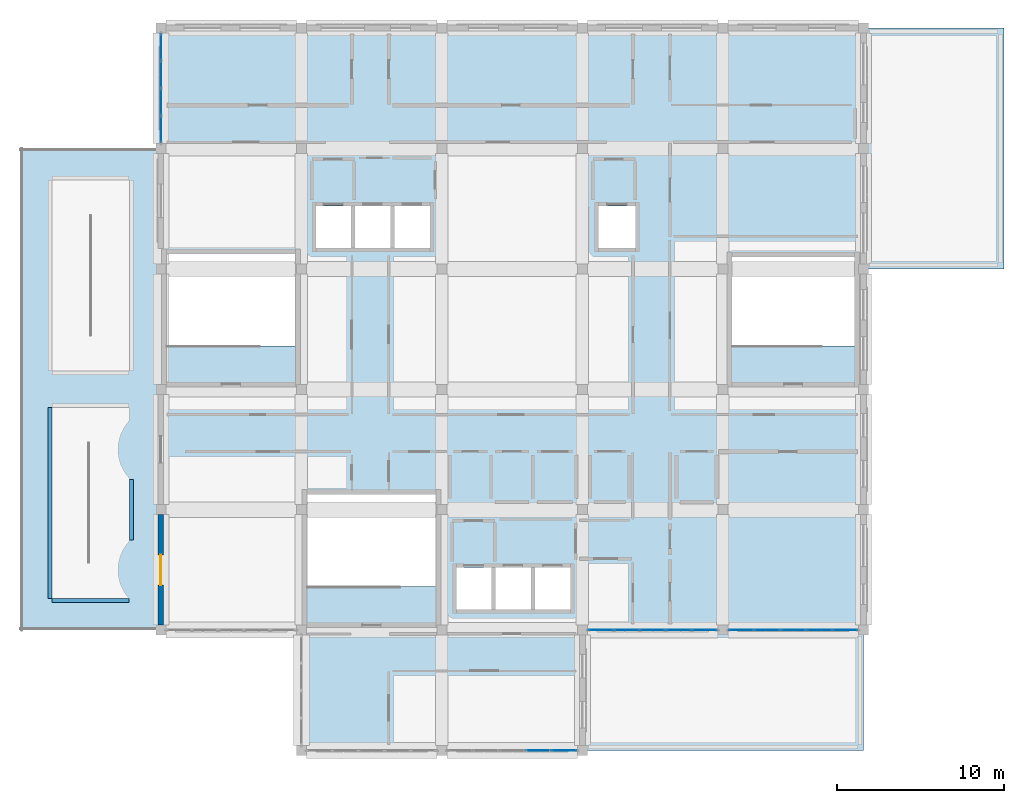
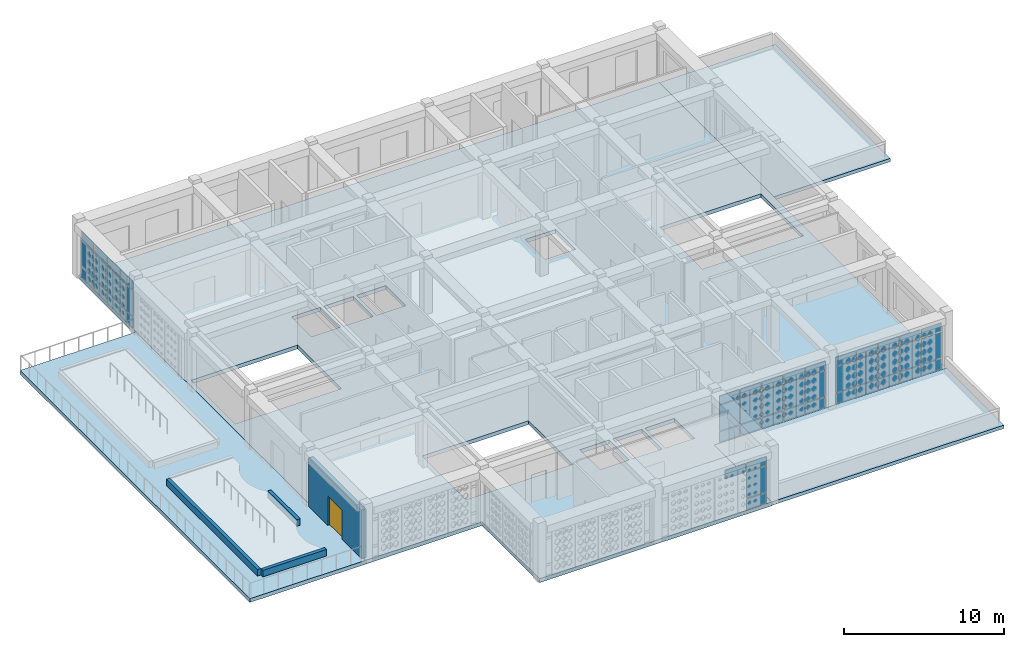
# One storey, part 11 of 28: 46 plates, 4 slabs, 4 walls, 1 door, 1 opening, 4 elements without a shape of their own.
"""IFC4 building model written with IfcOpenShell, lengths in metres."""

from ifc_helpers import new_model, si_unit, derived_unit, direction, frame, frame_2d, origin, origin_2d, place, context, subcontext, project, spatial, polyline, rectangle, outline, extrude, material, layer, layer_set, type_object, element, fill, aggregate, save


model = new_model("IFC4")

# Units and contexts
model_context = context("Model", 3, precision=1e-05, world=origin(), true_north=direction((0.0, 1.0)))
body_context = subcontext(model_context, "Body", "Model", "MODEL_VIEW")
ifc_project = project(units=[si_unit("LENGTHUNIT", "METRE"), si_unit("AREAUNIT", "SQUARE_METRE"), si_unit("VOLUMEUNIT", "CUBIC_METRE"), si_unit("PLANEANGLEUNIT", "RADIAN"), si_unit("MASSUNIT", "GRAM", prefix="KILO"), derived_unit("THERMALTRANSMITTANCEUNIT", [(si_unit("POWERUNIT", "WATT"), 1), (si_unit("LENGTHUNIT", "METRE"), -2), (si_unit("THERMODYNAMICTEMPERATUREUNIT", "KELVIN"), -1)])], contexts=[model_context])

# Site, building, storey
site_placement = place(None, origin())
site = spatial("IfcSite", under=ifc_project, at=site_placement, CompositionType="ELEMENT")
building_placement = place(site_placement, origin())
building = spatial("IfcBuilding", under=site, at=building_placement, Name="Veybourne Emporium", CompositionType="ELEMENT")
storey_placement = place(building_placement, frame((0.0, 0.0, 32.10009765625)))
storey = spatial("IfcBuildingStorey", under=building, at=storey_placement, Name="L07", CompositionType="ELEMENT", Elevation=32.10009765625)

# Curtain wall, plates
ifc_material_1 = material(Name="Patinated Architectural Bronze", Category="bronze")
curtain_wall_type_1 = type_object("IfcCurtainWallType", Name="CWSystem_CWS-19", PredefinedType="NOTDEFINED", material=ifc_material_1)
curtain_wall_1_placement = place(storey_placement, origin())
curtain_wall_1 = element("IfcCurtainWall", 1, at=curtain_wall_1_placement, inside=storey, type_object=curtain_wall_type_1, Name="L07 bronze glazed curtain wall CWS-19 (007)", PredefinedType="NOTDEFINED")
ifc_material_2 = material(Name="Low-E Triple Glazing", Category="glass")
ifc_layer_1 = layer(ifc_material_2, 0.028076171875)
ifc_layer_set_1 = layer_set([ifc_layer_1], Name="Low-E Triple Glazing")
plate_type = type_object("IfcPlateType", Name="CWPanel_CW-P1", PredefinedType="CURTAIN_PANEL", material=ifc_layer_set_1)
plate_1_placement = place(storey_placement, frame((8.39990234375, 44.344482421875, 0.078125), z_axis=(0.0, 0.0, 1.0), x_axis=(0.0, 1.0, 0.0)))
plate_1 = element("IfcPlate", 2, at=plate_1_placement, type_object=plate_type, Name="CWS-19 panel 1.1", PredefinedType="CURTAIN_PANEL", context=body_context, shape_type="SweptSolid", body=[
    extrude(rectangle(XDim=1.532958984375, YDim=0.028076171875, at=origin_2d()), origin(), (0.0, 0.0, 1.0), 0.782958984375),
])
plate_2_placement = place(storey_placement, frame((8.39990234375, 44.344482421875, 0.93896484375), z_axis=(0.0, 0.0, 1.0), x_axis=(0.0, 1.0, 0.0)))
plate_2 = element("IfcPlate", 3, at=plate_2_placement, type_object=plate_type, Name="CWS-19 panel 1.2", PredefinedType="CURTAIN_PANEL", context=body_context, shape_type="SweptSolid", body=[
    extrude(rectangle(XDim=1.532958984375, YDim=0.028076171875, at=origin_2d()), origin(), (0.0, 0.0, 1.0), 1.9619140625),
])
plate_3_placement = place(storey_placement, frame((8.39990234375, 44.344482421875, 2.97900390625), z_axis=(0.0, 0.0, 1.0), x_axis=(0.0, 1.0, 0.0)))
plate_3 = element("IfcPlate", 4, at=plate_3_placement, type_object=plate_type, Name="CWS-19 panel 1.3", PredefinedType="CURTAIN_PANEL", context=body_context, shape_type="SweptSolid", body=[
    extrude(rectangle(XDim=1.532958984375, YDim=0.028076171875, at=origin_2d()), origin(), (0.0, 0.0, 1.0), 0.633056640625),
])
plate_4_placement = place(storey_placement, frame((8.39990234375, 45.97509765625, 0.078125), z_axis=(0.0, 0.0, 1.0), x_axis=(0.0, 1.0, 0.0)))
plate_4 = element("IfcPlate", 5, at=plate_4_placement, type_object=plate_type, Name="CWS-19 panel 2.1", PredefinedType="CURTAIN_PANEL", context=body_context, shape_type="SweptSolid", body=[
    extrude(rectangle(XDim=1.572021484375, YDim=0.028076171875, at=origin_2d()), origin(), (0.0, 0.0, 1.0), 0.782958984375),
])
plate_5_placement = place(storey_placement, frame((8.39990234375, 45.97509765625, 0.93896484375), z_axis=(0.0, 0.0, 1.0), x_axis=(0.0, 1.0, 0.0)))
plate_5 = element("IfcPlate", 6, at=plate_5_placement, type_object=plate_type, Name="CWS-19 panel 2.2", PredefinedType="CURTAIN_PANEL", context=body_context, shape_type="SweptSolid", body=[
    extrude(rectangle(XDim=1.572021484375, YDim=0.028076171875, at=origin_2d()), origin(), (0.0, 0.0, 1.0), 1.9619140625),
])
plate_6_placement = place(storey_placement, frame((8.39990234375, 45.97509765625, 2.97900390625), z_axis=(0.0, 0.0, 1.0), x_axis=(0.0, 1.0, 0.0)))
plate_6 = element("IfcPlate", 7, at=plate_6_placement, type_object=plate_type, Name="CWS-19 panel 2.3", PredefinedType="CURTAIN_PANEL", context=body_context, shape_type="SweptSolid", body=[
    extrude(rectangle(XDim=1.572021484375, YDim=0.028076171875, at=origin_2d()), origin(), (0.0, 0.0, 1.0), 0.633056640625),
])
plate_7_placement = place(storey_placement, frame((8.39990234375, 47.625, 0.078125), z_axis=(0.0, 0.0, 1.0), x_axis=(0.0, 1.0, 0.0)))
plate_7 = element("IfcPlate", 8, at=plate_7_placement, type_object=plate_type, Name="CWS-19 panel 3.1", PredefinedType="CURTAIN_PANEL", context=body_context, shape_type="SweptSolid", body=[
    extrude(rectangle(XDim=1.572021484375, YDim=0.028076171875, at=origin_2d()), origin(), (0.0, 0.0, 1.0), 0.782958984375),
])
plate_8_placement = place(storey_placement, frame((8.39990234375, 47.625, 0.93896484375), z_axis=(0.0, 0.0, 1.0), x_axis=(0.0, 1.0, 0.0)))
plate_8 = element("IfcPlate", 9, at=plate_8_placement, type_object=plate_type, Name="CWS-19 panel 3.2", PredefinedType="CURTAIN_PANEL", context=body_context, shape_type="SweptSolid", body=[
    extrude(rectangle(XDim=1.572021484375, YDim=0.028076171875, at=origin_2d()), origin(), (0.0, 0.0, 1.0), 1.9619140625),
])
plate_9_placement = place(storey_placement, frame((8.39990234375, 47.625, 2.97900390625), z_axis=(0.0, 0.0, 1.0), x_axis=(0.0, 1.0, 0.0)))
plate_9 = element("IfcPlate", 10, at=plate_9_placement, type_object=plate_type, Name="CWS-19 panel 3.3", PredefinedType="CURTAIN_PANEL", context=body_context, shape_type="SweptSolid", body=[
    extrude(rectangle(XDim=1.572021484375, YDim=0.028076171875, at=origin_2d()), origin(), (0.0, 0.0, 1.0), 0.633056640625),
])
plate_10_placement = place(storey_placement, frame((8.39990234375, 49.255615234375, 0.078125), z_axis=(0.0, 0.0, 1.0), x_axis=(0.0, 1.0, 0.0)))
plate_10 = element("IfcPlate", 11, at=plate_10_placement, type_object=plate_type, Name="CWS-19 panel 4.1", PredefinedType="CURTAIN_PANEL", context=body_context, shape_type="SweptSolid", body=[
    extrude(rectangle(XDim=1.532958984375, YDim=0.028076171875, at=origin_2d()), origin(), (0.0, 0.0, 1.0), 0.782958984375),
])
plate_11_placement = place(storey_placement, frame((8.39990234375, 49.255615234375, 0.93896484375), z_axis=(0.0, 0.0, 1.0), x_axis=(0.0, 1.0, 0.0)))
plate_11 = element("IfcPlate", 12, at=plate_11_placement, type_object=plate_type, Name="CWS-19 panel 4.2", PredefinedType="CURTAIN_PANEL", context=body_context, shape_type="SweptSolid", body=[
    extrude(rectangle(XDim=1.532958984375, YDim=0.028076171875, at=origin_2d()), origin(), (0.0, 0.0, 1.0), 1.9619140625),
])
plate_12_placement = place(storey_placement, frame((8.39990234375, 49.255615234375, 2.97900390625), z_axis=(0.0, 0.0, 1.0), x_axis=(0.0, 1.0, 0.0)))
plate_12 = element("IfcPlate", 13, at=plate_12_placement, type_object=plate_type, Name="CWS-19 panel 4.3", PredefinedType="CURTAIN_PANEL", context=body_context, shape_type="SweptSolid", body=[
    extrude(rectangle(XDim=1.532958984375, YDim=0.028076171875, at=origin_2d()), origin(), (0.0, 0.0, 1.0), 0.633056640625),
])
aggregate(curtain_wall_1, [plate_1, plate_2, plate_3, plate_4, plate_5, plate_6, plate_7, plate_8, plate_9, plate_10, plate_11, plate_12])

curtain_wall_type_2 = type_object("IfcCurtainWallType", Name="CWSystem_CWS-22", PredefinedType="NOTDEFINED", material=ifc_material_1)
curtain_wall_2_placement = place(storey_placement, origin())
curtain_wall_2 = element("IfcCurtainWall", 14, at=curtain_wall_2_placement, inside=storey, type_object=curtain_wall_type_2, Name="L07 bronze glazed curtain wall CWS-22 (011)", PredefinedType="NOTDEFINED")
plate_13_placement = place(storey_placement, frame((32.501220703125, 7.199951171875, 0.074951171875), z_axis=(0.0, 0.0, 1.0), x_axis=(-1.0, 0.0, 0.0)))
plate_13 = element("IfcPlate", 15, at=plate_13_placement, type_object=plate_type, Name="CWS-22 panel 1.1", PredefinedType="CURTAIN_PANEL", context=body_context, shape_type="SweptSolid", body=[
    extrude(rectangle(XDim=1.447509765625, YDim=0.028076171875, at=origin_2d()), origin(), (0.0, 0.0, 1.0), 0.78759765625),
])
plate_14_placement = place(storey_placement, frame((32.501220703125, 7.199951171875, 0.9375), z_axis=(0.0, 0.0, 1.0), x_axis=(-1.0, 0.0, 0.0)))
plate_14 = element("IfcPlate", 16, at=plate_14_placement, type_object=plate_type, Name="CWS-22 panel 1.2", PredefinedType="CURTAIN_PANEL", context=body_context, shape_type="SweptSolid", body=[
    extrude(rectangle(XDim=1.447509765625, YDim=0.028076171875, at=origin_2d()), origin(), (0.0, 0.0, 1.0), 1.965087890625),
])
plate_15_placement = place(storey_placement, frame((32.501220703125, 7.199951171875, 2.9775390625), z_axis=(0.0, 0.0, 1.0), x_axis=(-1.0, 0.0, 0.0)))
plate_15 = element("IfcPlate", 17, at=plate_15_placement, type_object=plate_type, Name="CWS-22 panel 1.3", PredefinedType="CURTAIN_PANEL", context=body_context, shape_type="SweptSolid", body=[
    extrude(rectangle(XDim=1.447509765625, YDim=0.028076171875, at=origin_2d()), origin(), (0.0, 0.0, 1.0), 0.637451171875),
])
plate_16_placement = place(storey_placement, frame((30.9599609375, 7.199951171875, 2.9775390625), z_axis=(0.0, 0.0, 1.0), x_axis=(-1.0, 0.0, 0.0)))
plate_16 = element("IfcPlate", 18, at=plate_16_placement, type_object=plate_type, Name="CWS-22 panel 2.3", PredefinedType="CURTAIN_PANEL", context=body_context, shape_type="SweptSolid", body=[
    extrude(rectangle(XDim=1.485107421875, YDim=0.028076171875, at=origin_2d()), origin(), (0.0, 0.0, 1.0), 0.637451171875),
])
aggregate(curtain_wall_2, [plate_13, plate_14, plate_15, plate_16])

curtain_wall_type_3 = type_object("IfcCurtainWallType", Name="CWSystem_CWS-23", PredefinedType="NOTDEFINED", material=ifc_material_1)
curtain_wall_3_placement = place(storey_placement, origin())
curtain_wall_3 = element("IfcCurtainWall", 19, at=curtain_wall_3_placement, inside=storey, type_object=curtain_wall_type_3, Name="L07 bronze glazed curtain wall CWS-23 (014)", PredefinedType="NOTDEFINED")
plate_17_placement = place(storey_placement, frame((40.900390625, 14.39990234375, 0.078125), z_axis=(0.0, 0.0, 1.0), x_axis=(-1.0, 0.0, 0.0)))
plate_17 = element("IfcPlate", 20, at=plate_17_placement, type_object=plate_type, Name="CWS-23 panel 1.1", PredefinedType="CURTAIN_PANEL", context=body_context, shape_type="SweptSolid", body=[
    extrude(rectangle(XDim=1.443115234375, YDim=0.028076171875, at=origin_2d()), origin(), (0.0, 0.0, 1.0), 0.782958984375),
])
plate_18_placement = place(storey_placement, frame((40.900390625, 14.39990234375, 0.93896484375), z_axis=(0.0, 0.0, 1.0), x_axis=(-1.0, 0.0, 0.0)))
plate_18 = element("IfcPlate", 21, at=plate_18_placement, type_object=plate_type, Name="CWS-23 panel 1.2", PredefinedType="CURTAIN_PANEL", context=body_context, shape_type="SweptSolid", body=[
    extrude(rectangle(XDim=1.443115234375, YDim=0.028076171875, at=origin_2d()), origin(), (0.0, 0.0, 1.0), 1.9619140625),
])
plate_19_placement = place(storey_placement, frame((40.900390625, 14.39990234375, 2.97900390625), z_axis=(0.0, 0.0, 1.0), x_axis=(-1.0, 0.0, 0.0)))
plate_19 = element("IfcPlate", 22, at=plate_19_placement, type_object=plate_type, Name="CWS-23 panel 1.3", PredefinedType="CURTAIN_PANEL", context=body_context, shape_type="SweptSolid", body=[
    extrude(rectangle(XDim=1.443115234375, YDim=0.028076171875, at=origin_2d()), origin(), (0.0, 0.0, 1.0), 0.633056640625),
])
plate_20_placement = place(storey_placement, frame((39.360107421875, 14.39990234375, 0.078125), z_axis=(0.0, 0.0, 1.0), x_axis=(-1.0, 0.0, 0.0)))
plate_20 = element("IfcPlate", 23, at=plate_20_placement, type_object=plate_type, Name="CWS-23 panel 2.1", PredefinedType="CURTAIN_PANEL", context=body_context, shape_type="SweptSolid", body=[
    extrude(rectangle(XDim=1.48193359375, YDim=0.028076171875, at=origin_2d()), origin(), (0.0, 0.0, 1.0), 0.782958984375),
])
plate_21_placement = place(storey_placement, frame((39.360107421875, 14.39990234375, 0.93896484375), z_axis=(0.0, 0.0, 1.0), x_axis=(-1.0, 0.0, 0.0)))
plate_21 = element("IfcPlate", 24, at=plate_21_placement, type_object=plate_type, Name="CWS-23 panel 2.2", PredefinedType="CURTAIN_PANEL", context=body_context, shape_type="SweptSolid", body=[
    extrude(rectangle(XDim=1.48193359375, YDim=0.028076171875, at=origin_2d()), origin(), (0.0, 0.0, 1.0), 1.9619140625),
])
plate_22_placement = place(storey_placement, frame((39.360107421875, 14.39990234375, 2.97900390625), z_axis=(0.0, 0.0, 1.0), x_axis=(-1.0, 0.0, 0.0)))
plate_22 = element("IfcPlate", 25, at=plate_22_placement, type_object=plate_type, Name="CWS-23 panel 2.3", PredefinedType="CURTAIN_PANEL", context=body_context, shape_type="SweptSolid", body=[
    extrude(rectangle(XDim=1.48193359375, YDim=0.028076171875, at=origin_2d()), origin(), (0.0, 0.0, 1.0), 0.633056640625),
])
plate_23_placement = place(storey_placement, frame((37.800048828125, 14.39990234375, 0.078125), z_axis=(0.0, 0.0, 1.0), x_axis=(-1.0, 0.0, 0.0)))
plate_23 = element("IfcPlate", 26, at=plate_23_placement, type_object=plate_type, Name="CWS-23 panel 3.1", PredefinedType="CURTAIN_PANEL", context=body_context, shape_type="SweptSolid", body=[
    extrude(rectangle(XDim=1.48193359375, YDim=0.028076171875, at=origin_2d()), origin(), (0.0, 0.0, 1.0), 0.782958984375),
])
plate_24_placement = place(storey_placement, frame((37.800048828125, 14.39990234375, 0.93896484375), z_axis=(0.0, 0.0, 1.0), x_axis=(-1.0, 0.0, 0.0)))
plate_24 = element("IfcPlate", 27, at=plate_24_placement, type_object=plate_type, Name="CWS-23 panel 3.2", PredefinedType="CURTAIN_PANEL", context=body_context, shape_type="SweptSolid", body=[
    extrude(rectangle(XDim=1.48193359375, YDim=0.028076171875, at=origin_2d()), origin(), (0.0, 0.0, 1.0), 1.9619140625),
])
plate_25_placement = place(storey_placement, frame((37.800048828125, 14.39990234375, 2.97900390625), z_axis=(0.0, 0.0, 1.0), x_axis=(-1.0, 0.0, 0.0)))
plate_25 = element("IfcPlate", 28, at=plate_25_placement, type_object=plate_type, Name="CWS-23 panel 3.3", PredefinedType="CURTAIN_PANEL", context=body_context, shape_type="SweptSolid", body=[
    extrude(rectangle(XDim=1.48193359375, YDim=0.028076171875, at=origin_2d()), origin(), (0.0, 0.0, 1.0), 0.633056640625),
])
plate_26_placement = place(storey_placement, frame((36.239990234375, 14.39990234375, 0.078125), z_axis=(0.0, 0.0, 1.0), x_axis=(-1.0, 0.0, 0.0)))
plate_26 = element("IfcPlate", 29, at=plate_26_placement, type_object=plate_type, Name="CWS-23 panel 4.1", PredefinedType="CURTAIN_PANEL", context=body_context, shape_type="SweptSolid", body=[
    extrude(rectangle(XDim=1.48193359375, YDim=0.028076171875, at=origin_2d()), origin(), (0.0, 0.0, 1.0), 0.782958984375),
])
plate_27_placement = place(storey_placement, frame((36.239990234375, 14.39990234375, 0.93896484375), z_axis=(0.0, 0.0, 1.0), x_axis=(-1.0, 0.0, 0.0)))
plate_27 = element("IfcPlate", 30, at=plate_27_placement, type_object=plate_type, Name="CWS-23 panel 4.2", PredefinedType="CURTAIN_PANEL", context=body_context, shape_type="SweptSolid", body=[
    extrude(rectangle(XDim=1.48193359375, YDim=0.028076171875, at=origin_2d()), origin(), (0.0, 0.0, 1.0), 1.9619140625),
])
plate_28_placement = place(storey_placement, frame((36.239990234375, 14.39990234375, 2.97900390625), z_axis=(0.0, 0.0, 1.0), x_axis=(-1.0, 0.0, 0.0)))
plate_28 = element("IfcPlate", 31, at=plate_28_placement, type_object=plate_type, Name="CWS-23 panel 4.3", PredefinedType="CURTAIN_PANEL", context=body_context, shape_type="SweptSolid", body=[
    extrude(rectangle(XDim=1.48193359375, YDim=0.028076171875, at=origin_2d()), origin(), (0.0, 0.0, 1.0), 0.633056640625),
])
plate_29_placement = place(storey_placement, frame((34.699462890625, 14.39990234375, 0.078125), z_axis=(0.0, 0.0, 1.0), x_axis=(-1.0, 0.0, 0.0)))
plate_29 = element("IfcPlate", 32, at=plate_29_placement, type_object=plate_type, Name="CWS-23 panel 5.1", PredefinedType="CURTAIN_PANEL", context=body_context, shape_type="SweptSolid", body=[
    extrude(rectangle(XDim=1.443115234375, YDim=0.028076171875, at=origin_2d()), origin(), (0.0, 0.0, 1.0), 0.782958984375),
])
plate_30_placement = place(storey_placement, frame((34.699462890625, 14.39990234375, 0.93896484375), z_axis=(0.0, 0.0, 1.0), x_axis=(-1.0, 0.0, 0.0)))
plate_30 = element("IfcPlate", 33, at=plate_30_placement, type_object=plate_type, Name="CWS-23 panel 5.2", PredefinedType="CURTAIN_PANEL", context=body_context, shape_type="SweptSolid", body=[
    extrude(rectangle(XDim=1.443115234375, YDim=0.028076171875, at=origin_2d()), origin(), (0.0, 0.0, 1.0), 1.9619140625),
])
plate_31_placement = place(storey_placement, frame((34.699462890625, 14.39990234375, 2.97900390625), z_axis=(0.0, 0.0, 1.0), x_axis=(-1.0, 0.0, 0.0)))
plate_31 = element("IfcPlate", 34, at=plate_31_placement, type_object=plate_type, Name="CWS-23 panel 5.3", PredefinedType="CURTAIN_PANEL", context=body_context, shape_type="SweptSolid", body=[
    extrude(rectangle(XDim=1.443115234375, YDim=0.028076171875, at=origin_2d()), origin(), (0.0, 0.0, 1.0), 0.633056640625),
])
aggregate(curtain_wall_3, [plate_17, plate_18, plate_19, plate_20, plate_21, plate_22, plate_23, plate_24, plate_25, plate_26, plate_27, plate_28, plate_29, plate_30, plate_31])

curtain_wall_type_4 = type_object("IfcCurtainWallType", Name="CWSystem_CWS-24", PredefinedType="NOTDEFINED", material=ifc_material_1)
curtain_wall_4_placement = place(storey_placement, origin())
curtain_wall_4 = element("IfcCurtainWall", 35, at=curtain_wall_4_placement, inside=storey, type_object=curtain_wall_type_4, Name="L07 bronze glazed curtain wall CWS-24 (016)", PredefinedType="NOTDEFINED")
plate_32_placement = place(storey_placement, frame((49.302490234375, 14.39990234375, 0.06982421875), z_axis=(0.0, 0.0, 1.0), x_axis=(-1.0, 0.0, 0.0)))
plate_32 = element("IfcPlate", 36, at=plate_32_placement, type_object=plate_type, Name="CWS-24 panel 1.1", PredefinedType="CURTAIN_PANEL", context=body_context, shape_type="SweptSolid", body=[
    extrude(rectangle(XDim=1.455078125, YDim=0.028076171875, at=origin_2d()), origin(), (0.0, 0.0, 1.0), 0.794921875),
])
plate_33_placement = place(storey_placement, frame((49.302490234375, 14.39990234375, 0.93505859375), z_axis=(0.0, 0.0, 1.0), x_axis=(-1.0, 0.0, 0.0)))
plate_33 = element("IfcPlate", 37, at=plate_33_placement, type_object=plate_type, Name="CWS-24 panel 1.2", PredefinedType="CURTAIN_PANEL", context=body_context, shape_type="SweptSolid", body=[
    extrude(rectangle(XDim=1.455078125, YDim=0.028076171875, at=origin_2d()), origin(), (0.0, 0.0, 1.0), 1.969970703125),
])
plate_34_placement = place(storey_placement, frame((49.302490234375, 14.39990234375, 2.974853515625), z_axis=(0.0, 0.0, 1.0), x_axis=(-1.0, 0.0, 0.0)))
plate_34 = element("IfcPlate", 38, at=plate_34_placement, type_object=plate_type, Name="CWS-24 panel 1.3", PredefinedType="CURTAIN_PANEL", context=body_context, shape_type="SweptSolid", body=[
    extrude(rectangle(XDim=1.455078125, YDim=0.028076171875, at=origin_2d()), origin(), (0.0, 0.0, 1.0), 0.64501953125),
])
plate_35_placement = place(storey_placement, frame((47.760009765625, 14.39990234375, 0.06982421875), z_axis=(0.0, 0.0, 1.0), x_axis=(-1.0, 0.0, 0.0)))
plate_35 = element("IfcPlate", 39, at=plate_35_placement, type_object=plate_type, Name="CWS-24 panel 2.1", PredefinedType="CURTAIN_PANEL", context=body_context, shape_type="SweptSolid", body=[
    extrude(rectangle(XDim=1.489990234375, YDim=0.028076171875, at=origin_2d()), origin(), (0.0, 0.0, 1.0), 0.794921875),
])
plate_36_placement = place(storey_placement, frame((47.760009765625, 14.39990234375, 0.93505859375), z_axis=(0.0, 0.0, 1.0), x_axis=(-1.0, 0.0, 0.0)))
plate_36 = element("IfcPlate", 40, at=plate_36_placement, type_object=plate_type, Name="CWS-24 panel 2.2", PredefinedType="CURTAIN_PANEL", context=body_context, shape_type="SweptSolid", body=[
    extrude(rectangle(XDim=1.489990234375, YDim=0.028076171875, at=origin_2d()), origin(), (0.0, 0.0, 1.0), 1.969970703125),
])
plate_37_placement = place(storey_placement, frame((47.760009765625, 14.39990234375, 2.974853515625), z_axis=(0.0, 0.0, 1.0), x_axis=(-1.0, 0.0, 0.0)))
plate_37 = element("IfcPlate", 41, at=plate_37_placement, type_object=plate_type, Name="CWS-24 panel 2.3", PredefinedType="CURTAIN_PANEL", context=body_context, shape_type="SweptSolid", body=[
    extrude(rectangle(XDim=1.489990234375, YDim=0.028076171875, at=origin_2d()), origin(), (0.0, 0.0, 1.0), 0.64501953125),
])
plate_38_placement = place(storey_placement, frame((46.199951171875, 14.39990234375, 0.06982421875), z_axis=(0.0, 0.0, 1.0), x_axis=(-1.0, 0.0, 0.0)))
plate_38 = element("IfcPlate", 42, at=plate_38_placement, type_object=plate_type, Name="CWS-24 panel 3.1", PredefinedType="CURTAIN_PANEL", context=body_context, shape_type="SweptSolid", body=[
    extrude(rectangle(XDim=1.489990234375, YDim=0.028076171875, at=origin_2d()), origin(), (0.0, 0.0, 1.0), 0.794921875),
])
plate_39_placement = place(storey_placement, frame((46.199951171875, 14.39990234375, 0.93505859375), z_axis=(0.0, 0.0, 1.0), x_axis=(-1.0, 0.0, 0.0)))
plate_39 = element("IfcPlate", 43, at=plate_39_placement, type_object=plate_type, Name="CWS-24 panel 3.2", PredefinedType="CURTAIN_PANEL", context=body_context, shape_type="SweptSolid", body=[
    extrude(rectangle(XDim=1.489990234375, YDim=0.028076171875, at=origin_2d()), origin(), (0.0, 0.0, 1.0), 1.969970703125),
])
plate_40_placement = place(storey_placement, frame((46.199951171875, 14.39990234375, 2.974853515625), z_axis=(0.0, 0.0, 1.0), x_axis=(-1.0, 0.0, 0.0)))
plate_40 = element("IfcPlate", 44, at=plate_40_placement, type_object=plate_type, Name="CWS-24 panel 3.3", PredefinedType="CURTAIN_PANEL", context=body_context, shape_type="SweptSolid", body=[
    extrude(rectangle(XDim=1.489990234375, YDim=0.028076171875, at=origin_2d()), origin(), (0.0, 0.0, 1.0), 0.64501953125),
])
plate_41_placement = place(storey_placement, frame((44.639892578125, 14.39990234375, 0.06982421875), z_axis=(0.0, 0.0, 1.0), x_axis=(-1.0, 0.0, 0.0)))
plate_41 = element("IfcPlate", 45, at=plate_41_placement, type_object=plate_type, Name="CWS-24 panel 4.1", PredefinedType="CURTAIN_PANEL", context=body_context, shape_type="SweptSolid", body=[
    extrude(rectangle(XDim=1.489990234375, YDim=0.028076171875, at=origin_2d()), origin(), (0.0, 0.0, 1.0), 0.794921875),
])
plate_42_placement = place(storey_placement, frame((44.639892578125, 14.39990234375, 0.93505859375), z_axis=(0.0, 0.0, 1.0), x_axis=(-1.0, 0.0, 0.0)))
plate_42 = element("IfcPlate", 46, at=plate_42_placement, type_object=plate_type, Name="CWS-24 panel 4.2", PredefinedType="CURTAIN_PANEL", context=body_context, shape_type="SweptSolid", body=[
    extrude(rectangle(XDim=1.489990234375, YDim=0.028076171875, at=origin_2d()), origin(), (0.0, 0.0, 1.0), 1.969970703125),
])
plate_43_placement = place(storey_placement, frame((44.639892578125, 14.39990234375, 2.974853515625), z_axis=(0.0, 0.0, 1.0), x_axis=(-1.0, 0.0, 0.0)))
plate_43 = element("IfcPlate", 47, at=plate_43_placement, type_object=plate_type, Name="CWS-24 panel 4.3", PredefinedType="CURTAIN_PANEL", context=body_context, shape_type="SweptSolid", body=[
    extrude(rectangle(XDim=1.489990234375, YDim=0.028076171875, at=origin_2d()), origin(), (0.0, 0.0, 1.0), 0.64501953125),
])
plate_44_placement = place(storey_placement, frame((43.097412109375, 14.39990234375, 0.06982421875), z_axis=(0.0, 0.0, 1.0), x_axis=(-1.0, 0.0, 0.0)))
plate_44 = element("IfcPlate", 48, at=plate_44_placement, type_object=plate_type, Name="CWS-24 panel 5.1", PredefinedType="CURTAIN_PANEL", context=body_context, shape_type="SweptSolid", body=[
    extrude(rectangle(XDim=1.455078125, YDim=0.028076171875, at=origin_2d()), origin(), (0.0, 0.0, 1.0), 0.794921875),
])
plate_45_placement = place(storey_placement, frame((43.097412109375, 14.39990234375, 0.93505859375), z_axis=(0.0, 0.0, 1.0), x_axis=(-1.0, 0.0, 0.0)))
plate_45 = element("IfcPlate", 49, at=plate_45_placement, type_object=plate_type, Name="CWS-24 panel 5.2", PredefinedType="CURTAIN_PANEL", context=body_context, shape_type="SweptSolid", body=[
    extrude(rectangle(XDim=1.455078125, YDim=0.028076171875, at=origin_2d()), origin(), (0.0, 0.0, 1.0), 1.969970703125),
])
plate_46_placement = place(storey_placement, frame((43.097412109375, 14.39990234375, 2.974853515625), z_axis=(0.0, 0.0, 1.0), x_axis=(-1.0, 0.0, 0.0)))
plate_46 = element("IfcPlate", 50, at=plate_46_placement, type_object=plate_type, Name="CWS-24 panel 5.3", PredefinedType="CURTAIN_PANEL", context=body_context, shape_type="SweptSolid", body=[
    extrude(rectangle(XDim=1.455078125, YDim=0.028076171875, at=origin_2d()), origin(), (0.0, 0.0, 1.0), 0.64501953125),
])
aggregate(curtain_wall_4, [plate_32, plate_33, plate_34, plate_35, plate_36, plate_37, plate_38, plate_39, plate_40, plate_41, plate_42, plate_43, plate_44, plate_45, plate_46])

# Slabs
ifc_material_3 = material(Name="Concrete C32/40", Category="concrete")
ifc_layer_2 = layer(ifc_material_3, 0.2900390625)
ifc_layer_set_2 = layer_set([ifc_layer_2], Name="Concrete C32/40")
slab_type_1 = type_object("IfcSlabType", Name="Slab_FS-03", PredefinedType="FLOOR", material=ifc_layer_set_2)
slab_1_placement = place(storey_placement, frame((0.0, 0.0, -0.2900390625)))
element("IfcSlab", 51, at=slab_1_placement, inside=storey, type_object=slab_type_1, Name="L07 floor slab FS-03 (V1.1)", PredefinedType="FLOOR", context=body_context, shape_type="SweptSolid", body=[
    extrude(outline(polyline([(8.39990234375, 21.60009765625), (8.39990234375, 28.800048828125), (8.39990234375, 36.0), (8.39990234375, 43.199951171875), (8.39990234375, 50.39990234375), (16.800048828125, 50.39990234375), (25.199951171875, 50.39990234375), (33.60009765625, 50.39990234375), (42.0, 50.39990234375), (50.39990234375, 50.39990234375), (50.39990234375, 43.199951171875), (50.39990234375, 36.0), (50.39990234375, 28.800048828125), (50.39990234375, 21.60009765625), (50.39990234375, 14.39990234375), (42.0, 14.39990234375), (33.60009765625, 14.39990234375), (33.60009765625, 7.199951171875), (25.199951171875, 7.199951171875), (16.800048828125, 7.199951171875), (16.800048828125, 14.39990234375), (8.39990234375, 14.39990234375), (8.39990234375, 21.60009765625)]), holes=[polyline([(28.159912109375, 18.14990234375), (26.06005859375, 18.14990234375), (26.06005859375, 15.64990234375), (28.159912109375, 15.64990234375), (28.159912109375, 18.14990234375)]), polyline([(30.52001953125, 18.14990234375), (28.39990234375, 18.14990234375), (28.39990234375, 15.64990234375), (30.52001953125, 15.64990234375), (30.52001953125, 18.14990234375)]), polyline([(32.8798828125, 18.14990234375), (30.760009765625, 18.14990234375), (30.760009765625, 15.64990234375), (32.8798828125, 15.64990234375), (32.8798828125, 18.14990234375)]), polyline([(24.85009765625, 17.0), (24.85009765625, 22.5), (17.14990234375, 22.5), (17.14990234375, 17.0), (24.85009765625, 17.0)]), polyline([(49.85009765625, 31.39990234375), (49.85009765625, 36.699951171875), (42.550048828125, 36.699951171875), (42.550048828125, 31.39990234375), (49.85009765625, 31.39990234375)]), polyline([(16.449951171875, 36.89990234375), (8.75, 36.89990234375), (8.75, 31.39990234375), (16.449951171875, 31.39990234375), (16.449951171875, 36.89990234375)]), polyline([(19.760009765625, 39.75), (17.659912109375, 39.75), (17.659912109375, 37.25), (19.760009765625, 37.25), (19.760009765625, 39.75)]), polyline([(22.1201171875, 39.75), (20.0, 39.75), (20.0, 37.25), (22.1201171875, 37.25), (22.1201171875, 39.75)]), polyline([(24.47998046875, 37.25), (24.47998046875, 39.75), (22.360107421875, 39.75), (22.360107421875, 37.25), (24.47998046875, 37.25)]), polyline([(36.760009765625, 37.25), (36.760009765625, 39.75), (34.56005859375, 39.75), (34.56005859375, 37.25), (36.760009765625, 37.25)])]), origin(), (0.0, 0.0, 1.0), 0.2900390625),
])
ifc_layer_3 = layer(ifc_material_3, 0.260009765625)
ifc_layer_set_3 = layer_set([ifc_layer_3], Name="Concrete C32/40")
slab_type_2 = type_object("IfcSlabType", Name="Slab_RS-01", PredefinedType="ROOF", material=ifc_layer_set_3)
slab_2_placement = place(storey_placement, frame((0.0, 0.0, -0.260009765625)))
element("IfcSlab", 52, at=slab_2_placement, inside=storey, type_object=slab_type_2, Name="L07 flat roof slab 1", PredefinedType="ROOF", context=body_context, shape_type="SweptSolid", body=[
    extrude(outline(polyline([(42.0, 14.39990234375), (50.39990234375, 14.39990234375), (50.39990234375, 7.199951171875), (42.0, 7.199951171875), (33.60009765625, 7.199951171875), (33.60009765625, 14.39990234375), (42.0, 14.39990234375)])), origin(), (0.0, 0.0, 1.0), 0.260009765625),
])
slab_3_placement = place(storey_placement, frame((0.0, 0.0, -0.260009765625)))
element("IfcSlab", 53, at=slab_3_placement, inside=storey, type_object=slab_type_2, Name="L07 flat roof slab 2", PredefinedType="ROOF", context=body_context, shape_type="SweptSolid", body=[
    extrude(outline(polyline([(50.39990234375, 43.199951171875), (50.39990234375, 50.39990234375), (58.800048828125, 50.39990234375), (58.800048828125, 43.199951171875), (58.800048828125, 36.0), (50.39990234375, 36.0), (50.39990234375, 43.199951171875)])), origin(), (0.0, 0.0, 1.0), 0.260009765625),
])
ifc_layer_4 = layer(ifc_material_3, 0.2900390625)
ifc_layer_set_4 = layer_set([ifc_layer_4], Name="Concrete C32/40")
slab_type_3 = type_object("IfcSlabType", Name="Slab_TS-02", PredefinedType="FLOOR", material=ifc_layer_set_4)
slab_4_placement = place(storey_placement, frame((0.0, 0.0, -0.2900390625)))
element("IfcSlab", 54, at=slab_4_placement, inside=storey, type_object=slab_type_3, Name="L07 planted roof garden terrace slab 1", PredefinedType="FLOOR", context=body_context, shape_type="SweptSolid", body=[
    extrude(outline(polyline([(0.0, 21.60009765625), (0.0, 28.800048828125), (0.0, 36.0), (0.0, 43.199951171875), (8.39990234375, 43.199951171875), (8.39990234375, 36.0), (8.39990234375, 28.800048828125), (8.39990234375, 21.60009765625), (8.39990234375, 14.39990234375), (0.0, 14.39990234375), (0.0, 21.60009765625)])), origin(), (0.0, 0.0, 1.0), 0.2900390625),
])

# Wall, opening, door
ifc_material_4 = material(Name="Portland Limestone Ashlar", Category="masonry")
ifc_layer_5 = layer(ifc_material_4, 0.330078125)
ifc_layer_set_5 = layer_set([ifc_layer_5], Name="Portland Limestone Ashlar")
wall_type_1 = type_object("IfcWallType", Name="ExtWall_EW-04", PredefinedType="SOLIDWALL", material=ifc_layer_set_5)
wall_1_placement = place(storey_placement, frame((8.39990234375, 14.699951171875, 0.0), z_axis=(0.0, 0.0, 1.0), x_axis=(0.0, 1.0, 0.0)))
wall_1 = element("IfcWall", 55, at=wall_1_placement, inside=storey, type_object=wall_type_1, Name="L07 terrace facade wall 002", PredefinedType="SOLIDWALL", context=body_context, shape_type="SweptSolid", body=[
    extrude(rectangle(XDim=6.60009765625, YDim=0.330078125, at=frame_2d((3.300048828125, 0.0))), origin(), (0.0, 0.0, 1.0), 3.68994140625),
])
opening_placement = place(wall_1_placement, frame((2.39990234375, 0.0, 0.0)))
opening = element("IfcOpeningElement", 56, at=opening_placement, cuts=wall_1, Name="Opening TD-01", PredefinedType="OPENING", context=body_context, shape_type="SweptSolid", body=[
    extrude(rectangle(XDim=1.800048828125, YDim=2.25, at=frame_2d((0.89990234375, 1.125))), frame((0.0, 0.18505859375, 0.0), z_axis=(0.0, -1.0, 0.0), x_axis=(1.0, 0.0, 0.0)), (0.0, 0.0, 1.0), 0.3701171875),
])
door_type = type_object("IfcDoorType", Name="TerrDoor_TD-01", OperationType="NOTDEFINED", PredefinedType="DOOR", material=ifc_material_1)
door_placement = place(opening_placement, origin())
door = element("IfcDoor", 57, at=door_placement, inside=storey, type_object=door_type, Name="L07 roof-garden terrace door 01", OperationType="SINGLE_SWING_RIGHT", OverallHeight=2.25, OverallWidth=1.800048828125, PredefinedType="DOOR", context=body_context, shape_type="SweptSolid", body=[
    extrude(rectangle(XDim=1.800048828125, YDim=2.25, at=frame_2d((0.89990234375, 1.125))), frame((0.0, 0.02490234375, 0.0), z_axis=(0.0, -1.0, 0.0), x_axis=(1.0, 0.0, 0.0)), (0.0, 0.0, 1.0), 0.050048828125),
])
fill(opening, door)

# Walls
ifc_material_5 = material(Name="Precast concrete C40/50", Category="concrete")
ifc_layer_6 = layer(ifc_material_5, 0.239990234375)
ifc_layer_set_6 = layer_set([ifc_layer_6], Name="Precast concrete C40/50")
wall_type_2 = type_object("IfcWallType", Name="ExtWall_PW-02", PredefinedType="PARAPET", material=ifc_layer_set_6)
wall_2_placement = place(storey_placement, frame((6.5, 16.169921875, 0.0), z_axis=(0.0, 0.0, 1.0), x_axis=(-1.0, 0.0, 0.0)))
element("IfcWall", 58, at=wall_2_placement, inside=storey, type_object=wall_type_2, Name="L07 planted roof-garden kerb 005", PredefinedType="PARAPET", context=body_context, shape_type="SweptSolid", body=[
    extrude(rectangle(XDim=4.60009765625, YDim=0.239990234375, at=frame_2d((2.300048828125, 0.0))), origin(), (0.0, 0.0, 1.0), 0.5),
])
wall_3_placement = place(storey_placement, frame((1.77001953125, 16.300048828125, 0.0), z_axis=(0.0, 0.0, 1.0), x_axis=(0.0, 1.0, 0.0)))
element("IfcWall", 59, at=wall_3_placement, inside=storey, type_object=wall_type_2, Name="L07 planted roof-garden kerb 006", PredefinedType="PARAPET", context=body_context, shape_type="SweptSolid", body=[
    extrude(rectangle(XDim=11.39990234375, YDim=0.239990234375, at=frame_2d((5.699951171875, 0.0))), origin(), (0.0, 0.0, 1.0), 0.5),
])
wall_4_placement = place(storey_placement, frame((6.6298828125, 23.421875, 0.0), z_axis=(0.0, 0.0, 1.0), x_axis=(0.0, -1.0, 0.0)))
element("IfcWall", 60, at=wall_4_placement, inside=storey, type_object=wall_type_2, Name="L07 planted roof-garden kerb 008", PredefinedType="PARAPET", context=body_context, shape_type="SweptSolid", body=[
    extrude(rectangle(XDim=3.643798828125, YDim=0.239990234375, at=frame_2d((1.82177734375, 0.0))), origin(), (0.0, 0.0, 1.0), 0.5),
])

save(model, "model.ifc")
